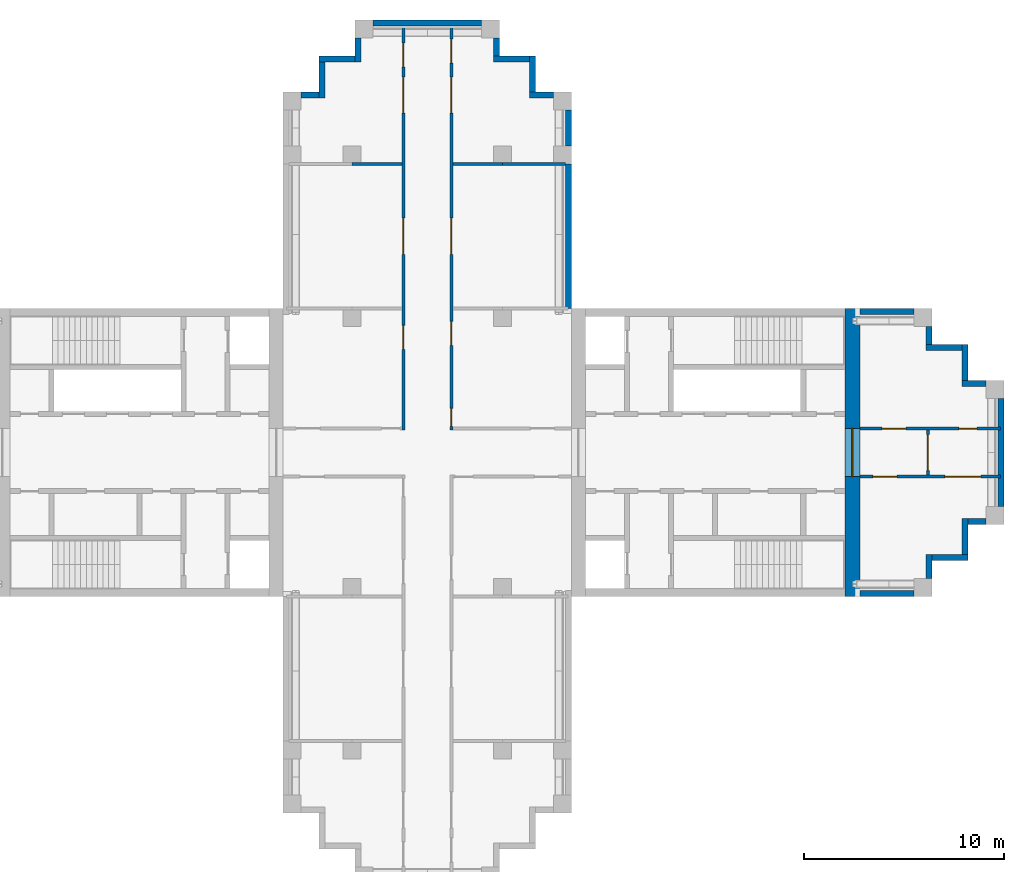
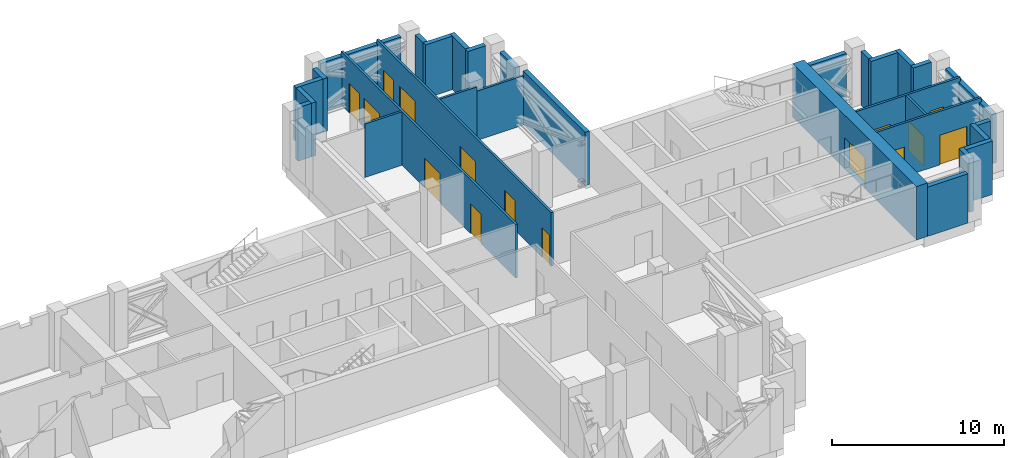
# One storey, part 6 of 8: 31 walls, 15 doors, 15 openings.
"""IFC4 building model written with IfcOpenShell, lengths in metres."""

from ifc_helpers import new_model, si_unit, direction, frame, frame_2d, origin, place, context, subcontext, project, spatial, rectangle, extrude, material, layer, layer_set, type_object, element, fill, save


model = new_model("IFC4")

# Units and contexts
model_context = context("Model", 3, precision=1e-05, world=origin(), true_north=direction((0.0, 1.0)))
body_context = subcontext(model_context, "Body", "Model", "MODEL_VIEW")
ifc_project = project(units=[si_unit("LENGTHUNIT", "METRE"), si_unit("AREAUNIT", "SQUARE_METRE"), si_unit("VOLUMEUNIT", "CUBIC_METRE"), si_unit("PLANEANGLEUNIT", "RADIAN"), si_unit("MASSUNIT", "GRAM", prefix="KILO")], contexts=[model_context])

# Site, building, storey
site_placement = place(None, origin())
site = spatial("IfcSite", under=ifc_project, at=site_placement, CompositionType="ELEMENT")
building_placement = place(site_placement, origin())
building = spatial("IfcBuilding", under=site, at=building_placement, Name="Fustian Cross Tower", CompositionType="ELEMENT")
storey_placement = place(building_placement, frame((0.0, 0.0, 194.699951171875)))
storey = spatial("IfcBuildingStorey", under=building, at=storey_placement, Name="L61", CompositionType="ELEMENT", Elevation=194.699951171875)

# Wall, openings, doors
ifc_material_1 = material(Name="Plasterboard on steel stud", Category="steel")
ifc_layer_1 = layer(ifc_material_1, 0.14990234375)
ifc_layer_set_1 = layer_set([ifc_layer_1], Name="Plasterboard on steel stud")
wall_type_1 = type_object("IfcWallType", Name="COMPARTMENT WALL 150 EI 60", PredefinedType="PARTITIONING", material=ifc_layer_set_1)
wall_1_placement = place(storey_placement, frame((-1.199951171875, 1.125, 0.0), z_axis=(0.0, 0.0, 1.0), x_axis=(0.0, 1.0, 0.0)))
wall_1 = element("IfcWall", 1, at=wall_1_placement, inside=storey, type_object=wall_type_1, Name="Partition 13", PredefinedType="PARTITIONING", context=body_context, shape_type="SweptSolid", body=[
    extrude(rectangle(XDim=20.294921875, YDim=0.14990234375, at=frame_2d((10.1474609375, 0.0))), origin(), (0.0, 0.0, 1.0), 3.800048828125),
])
opening_1_placement = place(wall_1_placement, frame((4.02490234375, 0.0, 0.0)))
opening_1 = element("IfcOpeningElement", 2, at=opening_1_placement, cuts=wall_1, Name="Opening D28006", PredefinedType="OPENING", context=body_context, shape_type="SweptSolid", body=[
    extrude(rectangle(XDim=1.199951171875, YDim=2.10009765625, at=frame_2d((0.60009765625, 1.050048828125))), frame((0.0, 0.0849609375, 0.0), z_axis=(0.0, -1.0, 0.0), x_axis=(1.0, 0.0, 0.0)), (0.0, 0.0, 1.0), 0.169921875),
])
opening_2_placement = place(wall_1_placement, frame((8.77490234375, 0.0, 0.0)))
opening_2 = element("IfcOpeningElement", 3, at=opening_2_placement, cuts=wall_1, Name="Opening D28013", PredefinedType="OPENING", context=body_context, shape_type="SweptSolid", body=[
    extrude(rectangle(XDim=1.800048828125, YDim=2.10009765625, at=frame_2d((0.89990234375, 1.050048828125))), frame((0.0, 0.0849609375, 0.0), z_axis=(0.0, -1.0, 0.0), x_axis=(1.0, 0.0, 0.0)), (0.0, 0.0, 1.0), 0.169921875),
])
opening_3_placement = place(wall_1_placement, frame((15.824951171875, 0.0, 0.0)))
opening_3 = element("IfcOpeningElement", 4, at=opening_3_placement, cuts=wall_1, Name="Opening D28014", PredefinedType="OPENING", context=body_context, shape_type="SweptSolid", body=[
    extrude(rectangle(XDim=1.800048828125, YDim=2.10009765625, at=frame_2d((0.89990234375, 1.050048828125))), frame((0.0, 0.0849609375, 0.0), z_axis=(0.0, -1.0, 0.0), x_axis=(1.0, 0.0, 0.0)), (0.0, 0.0, 1.0), 0.169921875),
])
opening_4_placement = place(wall_1_placement, frame((18.125, 0.0, 0.0)))
opening_4 = element("IfcOpeningElement", 5, at=opening_4_placement, cuts=wall_1, Name="Opening D28015", PredefinedType="OPENING", context=body_context, shape_type="SweptSolid", body=[
    extrude(rectangle(XDim=1.199951171875, YDim=2.10009765625, at=frame_2d((0.60009765625, 1.050048828125))), frame((0.0, 0.0849609375, 0.0), z_axis=(0.0, -1.0, 0.0), x_axis=(1.0, 0.0, 0.0)), (0.0, 0.0, 1.0), 0.169921875),
])
ifc_material_2 = material(Name="Timber fire door set", Category="wood")
door_type_1 = type_object("IfcDoorType", Name="FIRE DOUBLE DOOR 1800 FD60S", OperationType="DOUBLE_DOOR_DOUBLE_SWING", PredefinedType="DOOR", material=ifc_material_2)
door_1_placement = place(opening_2_placement, frame((1.800048828125, 0.0, 0.0), z_axis=(0.0, 0.0, 1.0), x_axis=(-1.0, 0.0, 0.0)))
door_1 = element("IfcDoor", 6, at=door_1_placement, inside=storey, type_object=door_type_1, Name="Door D28013", OperationType="DOUBLE_DOOR_DOUBLE_SWING", OverallHeight=2.10009765625, OverallWidth=1.800048828125, PredefinedType="DOOR", context=body_context, shape_type="SweptSolid", body=[
    extrude(rectangle(XDim=1.800048828125, YDim=2.10009765625, at=frame_2d((0.89990234375, 1.050048828125))), frame((0.0, 0.02490234375, 0.0), z_axis=(0.0, -1.0, 0.0), x_axis=(1.0, 0.0, 0.0)), (0.0, 0.0, 1.0), 0.050048828125),
])
fill(opening_2, door_1)
door_2_placement = place(opening_3_placement, frame((1.800048828125, 0.0, 0.0), z_axis=(0.0, 0.0, 1.0), x_axis=(-1.0, 0.0, 0.0)))
door_2 = element("IfcDoor", 7, at=door_2_placement, inside=storey, type_object=door_type_1, Name="Door D28014", OperationType="DOUBLE_DOOR_DOUBLE_SWING", OverallHeight=2.10009765625, OverallWidth=1.800048828125, PredefinedType="DOOR", context=body_context, shape_type="SweptSolid", body=[
    extrude(rectangle(XDim=1.800048828125, YDim=2.10009765625, at=frame_2d((0.89990234375, 1.050048828125))), frame((0.0, 0.02490234375, 0.0), z_axis=(0.0, -1.0, 0.0), x_axis=(1.0, 0.0, 0.0)), (0.0, 0.0, 1.0), 0.050048828125),
])
fill(opening_3, door_2)
ifc_material_3 = material(Name="Timber fire door set", Category="wood")
door_type_2 = type_object("IfcDoorType", Name="FIRE SWING DOOR 1200 FD60S", OperationType="SINGLE_SWING_LEFT", PredefinedType="DOOR", material=ifc_material_3)
door_3_placement = place(opening_1_placement, origin())
door_3 = element("IfcDoor", 8, at=door_3_placement, inside=storey, type_object=door_type_2, Name="Door D28006", OperationType="SINGLE_SWING_RIGHT", OverallHeight=2.10009765625, OverallWidth=1.199951171875, PredefinedType="DOOR", context=body_context, shape_type="SweptSolid", body=[
    extrude(rectangle(XDim=1.199951171875, YDim=2.10009765625, at=frame_2d((0.60009765625, 1.050048828125))), frame((0.0, 0.02490234375, 0.0), z_axis=(0.0, -1.0, 0.0), x_axis=(1.0, 0.0, 0.0)), (0.0, 0.0, 1.0), 0.050048828125),
])
fill(opening_1, door_3)
door_4_placement = place(opening_4_placement, frame((1.199951171875, 0.0, 0.0), z_axis=(0.0, 0.0, 1.0), x_axis=(-1.0, 0.0, 0.0)))
door_4 = element("IfcDoor", 9, at=door_4_placement, inside=storey, type_object=door_type_2, Name="Door D28015", OperationType="SINGLE_SWING_LEFT", OverallHeight=2.10009765625, OverallWidth=1.199951171875, PredefinedType="DOOR", context=body_context, shape_type="SweptSolid", body=[
    extrude(rectangle(XDim=1.199951171875, YDim=2.10009765625, at=frame_2d((0.60009765625, 1.050048828125))), frame((0.0, 0.02490234375, 0.0), z_axis=(0.0, -1.0, 0.0), x_axis=(1.0, 0.0, 0.0)), (0.0, 0.0, 1.0), 0.050048828125),
])
fill(opening_4, door_4)

wall_2_placement = place(storey_placement, frame((1.199951171875, 1.125, 0.0), z_axis=(0.0, 0.0, 1.0), x_axis=(0.0, 1.0, 0.0)))
wall_2 = element("IfcWall", 10, at=wall_2_placement, inside=storey, type_object=wall_type_1, Name="Partition 18", PredefinedType="PARTITIONING", context=body_context, shape_type="SweptSolid", body=[
    extrude(rectangle(XDim=20.294921875, YDim=0.14990234375, at=frame_2d((10.1474609375, 0.0))), origin(), (0.0, 0.0, 1.0), 3.800048828125),
])
opening_5_placement = place(wall_2_placement, frame((0.175048828125, 0.0, 0.0)))
opening_5 = element("IfcOpeningElement", 11, at=opening_5_placement, cuts=wall_2, Name="Opening D28001", PredefinedType="OPENING", context=body_context, shape_type="SweptSolid", body=[
    extrude(rectangle(XDim=0.89990234375, YDim=2.10009765625, at=frame_2d((0.449951171875, 1.050048828125))), frame((0.0, 0.0849609375, 0.0), z_axis=(0.0, -1.0, 0.0), x_axis=(1.0, 0.0, 0.0)), (0.0, 0.0, 1.0), 0.169921875),
])
opening_6_placement = place(wall_2_placement, frame((4.22509765625, 0.0, 0.0)))
opening_6 = element("IfcOpeningElement", 12, at=opening_6_placement, cuts=wall_2, Name="Opening D28002", PredefinedType="OPENING", context=body_context, shape_type="SweptSolid", body=[
    extrude(rectangle(XDim=1.199951171875, YDim=2.10009765625, at=frame_2d((0.60009765625, 1.050048828125))), frame((0.0, 0.0849609375, 0.0), z_axis=(0.0, -1.0, 0.0), x_axis=(1.0, 0.0, 0.0)), (0.0, 0.0, 1.0), 0.169921875),
])
opening_7_placement = place(wall_2_placement, frame((8.77490234375, 0.0, 0.0)))
opening_7 = element("IfcOpeningElement", 13, at=opening_7_placement, cuts=wall_2, Name="Opening D28016", PredefinedType="OPENING", context=body_context, shape_type="SweptSolid", body=[
    extrude(rectangle(XDim=1.800048828125, YDim=2.10009765625, at=frame_2d((0.89990234375, 1.050048828125))), frame((0.0, 0.0849609375, 0.0), z_axis=(0.0, -1.0, 0.0), x_axis=(1.0, 0.0, 0.0)), (0.0, 0.0, 1.0), 0.169921875),
])
opening_8_placement = place(wall_2_placement, frame((15.824951171875, 0.0, 0.0)))
opening_8 = element("IfcOpeningElement", 14, at=opening_8_placement, cuts=wall_2, Name="Opening D28017", PredefinedType="OPENING", context=body_context, shape_type="SweptSolid", body=[
    extrude(rectangle(XDim=1.800048828125, YDim=2.10009765625, at=frame_2d((0.89990234375, 1.050048828125))), frame((0.0, 0.0849609375, 0.0), z_axis=(0.0, -1.0, 0.0), x_axis=(1.0, 0.0, 0.0)), (0.0, 0.0, 1.0), 0.169921875),
])
opening_9_placement = place(wall_2_placement, frame((18.324951171875, 0.0, 0.0)))
opening_9 = element("IfcOpeningElement", 15, at=opening_9_placement, cuts=wall_2, Name="Opening D28018", PredefinedType="OPENING", context=body_context, shape_type="SweptSolid", body=[
    extrude(rectangle(XDim=1.199951171875, YDim=2.10009765625, at=frame_2d((0.60009765625, 1.050048828125))), frame((0.0, 0.0849609375, 0.0), z_axis=(0.0, -1.0, 0.0), x_axis=(1.0, 0.0, 0.0)), (0.0, 0.0, 1.0), 0.169921875),
])
door_5_placement = place(opening_7_placement, origin())
door_5 = element("IfcDoor", 16, at=door_5_placement, inside=storey, type_object=door_type_1, Name="Door D28016", OperationType="DOUBLE_DOOR_DOUBLE_SWING", OverallHeight=2.10009765625, OverallWidth=1.800048828125, PredefinedType="DOOR", context=body_context, shape_type="SweptSolid", body=[
    extrude(rectangle(XDim=1.800048828125, YDim=2.10009765625, at=frame_2d((0.89990234375, 1.050048828125))), frame((0.0, 0.02490234375, 0.0), z_axis=(0.0, -1.0, 0.0), x_axis=(1.0, 0.0, 0.0)), (0.0, 0.0, 1.0), 0.050048828125),
])
fill(opening_7, door_5)
door_6_placement = place(opening_8_placement, origin())
door_6 = element("IfcDoor", 17, at=door_6_placement, inside=storey, type_object=door_type_1, Name="Door D28017", OperationType="DOUBLE_DOOR_DOUBLE_SWING", OverallHeight=2.10009765625, OverallWidth=1.800048828125, PredefinedType="DOOR", context=body_context, shape_type="SweptSolid", body=[
    extrude(rectangle(XDim=1.800048828125, YDim=2.10009765625, at=frame_2d((0.89990234375, 1.050048828125))), frame((0.0, 0.02490234375, 0.0), z_axis=(0.0, -1.0, 0.0), x_axis=(1.0, 0.0, 0.0)), (0.0, 0.0, 1.0), 0.050048828125),
])
fill(opening_8, door_6)
door_7_placement = place(opening_6_placement, origin())
door_7 = element("IfcDoor", 18, at=door_7_placement, inside=storey, type_object=door_type_2, Name="Door D28002", OperationType="SINGLE_SWING_RIGHT", OverallHeight=2.10009765625, OverallWidth=1.199951171875, PredefinedType="DOOR", context=body_context, shape_type="SweptSolid", body=[
    extrude(rectangle(XDim=1.199951171875, YDim=2.10009765625, at=frame_2d((0.60009765625, 1.050048828125))), frame((0.0, 0.02490234375, 0.0), z_axis=(0.0, -1.0, 0.0), x_axis=(1.0, 0.0, 0.0)), (0.0, 0.0, 1.0), 0.050048828125),
])
fill(opening_6, door_7)
door_8_placement = place(opening_9_placement, frame((1.199951171875, 0.0, 0.0), z_axis=(0.0, 0.0, 1.0), x_axis=(-1.0, 0.0, 0.0)))
door_8 = element("IfcDoor", 19, at=door_8_placement, inside=storey, type_object=door_type_2, Name="Door D28018", OperationType="SINGLE_SWING_LEFT", OverallHeight=2.10009765625, OverallWidth=1.199951171875, PredefinedType="DOOR", context=body_context, shape_type="SweptSolid", body=[
    extrude(rectangle(XDim=1.199951171875, YDim=2.10009765625, at=frame_2d((0.60009765625, 1.050048828125))), frame((0.0, 0.02490234375, 0.0), z_axis=(0.0, -1.0, 0.0), x_axis=(1.0, 0.0, 0.0)), (0.0, 0.0, 1.0), 0.050048828125),
])
fill(opening_9, door_8)
ifc_material_4 = material(Name="Timber fire door set", Category="wood")
door_type_3 = type_object("IfcDoorType", Name="FIRE SWING DOOR 900 FD30S", OperationType="SINGLE_SWING_LEFT", PredefinedType="DOOR", material=ifc_material_4)
door_9_placement = place(opening_5_placement, origin())
door_9 = element("IfcDoor", 20, at=door_9_placement, inside=storey, type_object=door_type_3, Name="Door D28001", OperationType="SINGLE_SWING_RIGHT", OverallHeight=2.10009765625, OverallWidth=0.89990234375, PredefinedType="DOOR", context=body_context, shape_type="SweptSolid", body=[
    extrude(rectangle(XDim=0.89990234375, YDim=2.10009765625, at=frame_2d((0.449951171875, 1.050048828125))), frame((0.0, 0.02490234375, 0.0), z_axis=(0.0, -1.0, 0.0), x_axis=(1.0, 0.0, 0.0)), (0.0, 0.0, 1.0), 0.050048828125),
])
fill(opening_5, door_9)

# Wall
wall_3_placement = place(storey_placement, frame((1.27490234375, 14.39990234375, 0.0), z_axis=(0.0, 0.0, 1.0), x_axis=(1.0, 0.0, 0.0)))
element("IfcWall", 21, at=wall_3_placement, inside=storey, type_object=wall_type_1, Name="Partition 21", PredefinedType="PARTITIONING", context=body_context, shape_type="SweptSolid", body=[
    extrude(rectangle(XDim=2.47509765625, YDim=0.14990234375, at=frame_2d((1.237548828125, 0.0))), origin(), (0.0, 0.0, 1.0), 3.800048828125),
])

# Wall, openings, doors
wall_4_placement = place(storey_placement, frame((21.60009765625, -1.199951171875, 0.0), z_axis=(0.0, 0.0, 1.0), x_axis=(1.0, 0.0, 0.0)))
wall_4 = element("IfcWall", 22, at=wall_4_placement, inside=storey, type_object=wall_type_1, Name="Partition 22", PredefinedType="PARTITIONING", context=body_context, shape_type="SweptSolid", body=[
    extrude(rectangle(XDim=7.02001953125, YDim=0.14990234375, at=frame_2d((3.510009765625, 0.0))), origin(), (0.0, 0.0, 1.0), 3.800048828125),
])
opening_10_placement = place(wall_4_placement, frame((0.64990234375, 0.0, 0.0)))
opening_10 = element("IfcOpeningElement", 23, at=opening_10_placement, cuts=wall_4, Name="Opening D28028", PredefinedType="OPENING", context=body_context, shape_type="SweptSolid", body=[
    extrude(rectangle(XDim=1.199951171875, YDim=2.10009765625, at=frame_2d((0.60009765625, 1.050048828125))), frame((0.0, 0.0849609375, 0.0), z_axis=(0.0, -1.0, 0.0), x_axis=(1.0, 0.0, 0.0)), (0.0, 0.0, 1.0), 0.169921875),
])
opening_11_placement = place(wall_4_placement, frame((4.25, 0.0, 0.0)))
opening_11 = element("IfcOpeningElement", 24, at=opening_11_placement, cuts=wall_4, Name="Opening D28029", PredefinedType="OPENING", context=body_context, shape_type="SweptSolid", body=[
    extrude(rectangle(XDim=1.800048828125, YDim=2.10009765625, at=frame_2d((0.89990234375, 1.050048828125))), frame((0.0, 0.0849609375, 0.0), z_axis=(0.0, -1.0, 0.0), x_axis=(1.0, 0.0, 0.0)), (0.0, 0.0, 1.0), 0.169921875),
])
door_10_placement = place(opening_11_placement, origin())
door_10 = element("IfcDoor", 25, at=door_10_placement, inside=storey, type_object=door_type_1, Name="Door D28029", OperationType="DOUBLE_DOOR_DOUBLE_SWING", OverallHeight=2.10009765625, OverallWidth=1.800048828125, PredefinedType="DOOR", context=body_context, shape_type="SweptSolid", body=[
    extrude(rectangle(XDim=1.800048828125, YDim=2.10009765625, at=frame_2d((0.89990234375, 1.050048828125))), frame((0.0, 0.02490234375, 0.0), z_axis=(0.0, -1.0, 0.0), x_axis=(1.0, 0.0, 0.0)), (0.0, 0.0, 1.0), 0.050048828125),
])
fill(opening_11, door_10)
door_11_placement = place(opening_10_placement, origin())
door_11 = element("IfcDoor", 26, at=door_11_placement, inside=storey, type_object=door_type_2, Name="Door D28028", OperationType="SINGLE_SWING_LEFT", OverallHeight=2.10009765625, OverallWidth=1.199951171875, PredefinedType="DOOR", context=body_context, shape_type="SweptSolid", body=[
    extrude(rectangle(XDim=1.199951171875, YDim=2.10009765625, at=frame_2d((0.60009765625, 1.050048828125))), frame((0.0, 0.02490234375, 0.0), z_axis=(0.0, -1.0, 0.0), x_axis=(1.0, 0.0, 0.0)), (0.0, 0.0, 1.0), 0.050048828125),
])
fill(opening_10, door_11)

wall_5_placement = place(storey_placement, frame((21.60009765625, 1.199951171875, 0.0), z_axis=(0.0, 0.0, 1.0), x_axis=(1.0, 0.0, 0.0)))
wall_5 = element("IfcWall", 27, at=wall_5_placement, inside=storey, type_object=wall_type_1, Name="Partition 23", PredefinedType="PARTITIONING", context=body_context, shape_type="SweptSolid", body=[
    extrude(rectangle(XDim=7.02001953125, YDim=0.14990234375, at=frame_2d((3.510009765625, 0.0))), origin(), (0.0, 0.0, 1.0), 3.800048828125),
])
opening_12_placement = place(wall_5_placement, frame((1.10009765625, 0.0, 0.0)))
opening_12 = element("IfcOpeningElement", 28, at=opening_12_placement, cuts=wall_5, Name="Opening D28026", PredefinedType="OPENING", context=body_context, shape_type="SweptSolid", body=[
    extrude(rectangle(XDim=1.199951171875, YDim=2.10009765625, at=frame_2d((0.60009765625, 1.050048828125))), frame((0.0, 0.0849609375, 0.0), z_axis=(0.0, -1.0, 0.0), x_axis=(1.0, 0.0, 0.0)), (0.0, 0.0, 1.0), 0.169921875),
])
opening_13_placement = place(wall_5_placement, frame((4.949951171875, 0.0, 0.0)))
opening_13 = element("IfcOpeningElement", 29, at=opening_13_placement, cuts=wall_5, Name="Opening D28027", PredefinedType="OPENING", context=body_context, shape_type="SweptSolid", body=[
    extrude(rectangle(XDim=0.89990234375, YDim=2.10009765625, at=frame_2d((0.449951171875, 1.050048828125))), frame((0.0, 0.0849609375, 0.0), z_axis=(0.0, -1.0, 0.0), x_axis=(1.0, 0.0, 0.0)), (0.0, 0.0, 1.0), 0.169921875),
])
door_12_placement = place(opening_12_placement, origin())
door_12 = element("IfcDoor", 30, at=door_12_placement, inside=storey, type_object=door_type_2, Name="Door D28026", OperationType="SINGLE_SWING_LEFT", OverallHeight=2.10009765625, OverallWidth=1.199951171875, PredefinedType="DOOR", context=body_context, shape_type="SweptSolid", body=[
    extrude(rectangle(XDim=1.199951171875, YDim=2.10009765625, at=frame_2d((0.60009765625, 1.050048828125))), frame((0.0, 0.02490234375, 0.0), z_axis=(0.0, -1.0, 0.0), x_axis=(1.0, 0.0, 0.0)), (0.0, 0.0, 1.0), 0.050048828125),
])
fill(opening_12, door_12)
door_13_placement = place(opening_13_placement, origin())
door_13 = element("IfcDoor", 31, at=door_13_placement, inside=storey, type_object=door_type_3, Name="Door D28027", OperationType="SINGLE_SWING_RIGHT", OverallHeight=2.10009765625, OverallWidth=0.89990234375, PredefinedType="DOOR", context=body_context, shape_type="SweptSolid", body=[
    extrude(rectangle(XDim=0.89990234375, YDim=2.10009765625, at=frame_2d((0.449951171875, 1.050048828125))), frame((0.0, 0.02490234375, 0.0), z_axis=(0.0, -1.0, 0.0), x_axis=(1.0, 0.0, 0.0)), (0.0, 0.0, 1.0), 0.050048828125),
])
fill(opening_13, door_13)

# Wall, opening, door
wall_6_placement = place(storey_placement, frame((25.0, -1.125, 0.0), z_axis=(0.0, 0.0, 1.0), x_axis=(0.0, 1.0, 0.0)))
wall_6 = element("IfcWall", 32, at=wall_6_placement, inside=storey, type_object=wall_type_1, Name="Partition 24", PredefinedType="PARTITIONING", context=body_context, shape_type="SweptSolid", body=[
    extrude(rectangle(XDim=2.25, YDim=0.14990234375, at=frame_2d((1.125, 0.0))), origin(), (0.0, 0.0, 1.0), 3.800048828125),
])
opening_14_placement = place(wall_6_placement, frame((0.22509765625, 0.0, 0.0)))
opening_14 = element("IfcOpeningElement", 33, at=opening_14_placement, cuts=wall_6, Name="Opening D28025", PredefinedType="OPENING", context=body_context, shape_type="SweptSolid", body=[
    extrude(rectangle(XDim=1.800048828125, YDim=2.10009765625, at=frame_2d((0.89990234375, 1.050048828125))), frame((0.0, 0.0849609375, 0.0), z_axis=(0.0, -1.0, 0.0), x_axis=(1.0, 0.0, 0.0)), (0.0, 0.0, 1.0), 0.169921875),
])
ifc_material_5 = material(Name="Timber fire door set", Category="wood")
door_type_4 = type_object("IfcDoorType", Name="FIRE DOUBLE DOOR 1800 FD30S", OperationType="DOUBLE_DOOR_DOUBLE_SWING", PredefinedType="DOOR", material=ifc_material_5)
door_14_placement = place(opening_14_placement, origin())
door_14 = element("IfcDoor", 34, at=door_14_placement, inside=storey, type_object=door_type_4, Name="Door D28025", OperationType="DOUBLE_DOOR_DOUBLE_SWING", OverallHeight=2.10009765625, OverallWidth=1.800048828125, PredefinedType="DOOR", context=body_context, shape_type="SweptSolid", body=[
    extrude(rectangle(XDim=1.800048828125, YDim=2.10009765625, at=frame_2d((0.89990234375, 1.050048828125))), frame((0.0, 0.02490234375, 0.0), z_axis=(0.0, -1.0, 0.0), x_axis=(1.0, 0.0, 0.0)), (0.0, 0.0, 1.0), 0.050048828125),
])
fill(opening_14, door_14)

# Walls
wall_7_placement = place(storey_placement, frame((-3.75, 14.39990234375, 0.0), z_axis=(0.0, 0.0, 1.0), x_axis=(1.0, 0.0, 0.0)))
element("IfcWall", 35, at=wall_7_placement, inside=storey, type_object=wall_type_1, Name="Partition 11", PredefinedType="PARTITIONING", context=body_context, shape_type="SweptSolid", body=[
    extrude(rectangle(XDim=2.47509765625, YDim=0.14990234375, at=frame_2d((1.237548828125, 0.0))), origin(), (0.0, 0.0, 1.0), 3.800048828125),
])
wall_8_placement = place(storey_placement, frame((3.75, 14.39990234375, 0.0), z_axis=(0.0, 0.0, 1.0), x_axis=(1.0, 0.0, 0.0)))
element("IfcWall", 36, at=wall_8_placement, inside=storey, type_object=wall_type_1, Name="Partition 21", PredefinedType="PARTITIONING", context=body_context, shape_type="SweptSolid", body=[
    extrude(rectangle(XDim=3.14990234375, YDim=0.14990234375, at=frame_2d((1.574951171875, 0.0))), origin(), (0.0, 0.0, 1.0), 3.5),
])

# Wall, opening, door
ifc_material_6 = material(Name="Concrete C50/60", Category="concrete")
ifc_layer_2 = layer(ifc_material_6, 0.75)
ifc_layer_set_2 = layer_set([ifc_layer_2], Name="Concrete C50/60")
wall_type_2 = type_object("IfcWallType", Name="CORE END WALL 750 C50/60", PredefinedType="SHEAR", material=ifc_layer_set_2)
wall_9_placement = place(storey_placement, frame((21.22509765625, -7.199951171875, 0.0), z_axis=(0.0, 0.0, 1.0), x_axis=(0.0, 1.0, 0.0)))
wall_9 = element("IfcWall", 37, at=wall_9_placement, inside=storey, type_object=wall_type_2, Name="Core end wall", PredefinedType="SHEAR", context=body_context, shape_type="SweptSolid", body=[
    extrude(rectangle(XDim=14.39990234375, YDim=0.75, at=frame_2d((7.199951171875, 0.0))), origin(), (0.0, 0.0, 1.0), 3.800048828125),
])
opening_15_placement = place(wall_9_placement, frame((6.0, 0.0, 0.0)))
opening_15 = element("IfcOpeningElement", 38, at=opening_15_placement, cuts=wall_9, Name="Opening CD-26-13", PredefinedType="OPENING", context=body_context, shape_type="SweptSolid", body=[
    extrude(rectangle(XDim=2.39990234375, YDim=2.199951171875, at=frame_2d((1.199951171875, 1.10009765625))), frame((0.0, 0.385009765625, 0.0), z_axis=(0.0, -1.0, 0.0), x_axis=(1.0, 0.0, 0.0)), (0.0, 0.0, 1.0), 0.77001953125),
])
ifc_material_7 = material(Name="Steel", Category="steel")
door_type_5 = type_object("IfcDoorType", Name="FIRE DOOR FD30S DOUBLE 2400X2200", OperationType="DOUBLE_DOOR_DOUBLE_SWING", PredefinedType="DOOR", material=ifc_material_7)
door_15_placement = place(opening_15_placement, origin())
door_15 = element("IfcDoor", 39, at=door_15_placement, inside=storey, type_object=door_type_5, Name="Core door CD-26-13", OperationType="DOUBLE_DOOR_DOUBLE_SWING", OverallHeight=2.199951171875, OverallWidth=2.39990234375, PredefinedType="DOOR", context=body_context, shape_type="SweptSolid", body=[
    extrude(rectangle(XDim=2.39990234375, YDim=2.199951171875, at=frame_2d((1.199951171875, 1.10009765625))), frame((0.0, 0.02490234375, 0.0), z_axis=(0.0, -1.0, 0.0), x_axis=(1.0, 0.0, 0.0)), (0.0, 0.0, 1.0), 0.050048828125),
])
fill(opening_15, door_15)

# Walls
ifc_material_8 = material(Name="Dark aluminium louvres on insulated backing wall", Category="aluminium")
ifc_layer_3 = layer(ifc_material_8, 0.300048828125)
ifc_layer_set_3 = layer_set([ifc_layer_3], Name="Dark aluminium louvres on insulated backing wall")
wall_type_3 = type_object("IfcWallType", Name="XW2 LOUVRED PLANT WALL 300", PredefinedType="SOLIDWALL", material=ifc_layer_set_3)
wall_10_placement = place(storey_placement, frame((21.60009765625, -7.050048828125, 0.0), z_axis=(0.0, 0.0, 1.0), x_axis=(1.0, 0.0, 0.0)))
element("IfcWall", 40, at=wall_10_placement, inside=storey, type_object=wall_type_3, Name="Plant louvre wall", PredefinedType="SOLIDWALL", context=body_context, shape_type="SweptSolid", body=[
    extrude(rectangle(XDim=2.699951171875, YDim=0.300048828125, at=frame_2d((1.35009765625, 0.0))), origin(), (0.0, 0.0, 1.0), 3.5),
])
wall_11_placement = place(storey_placement, frame((25.050048828125, -6.300048828125, 0.0), z_axis=(0.0, 0.0, 1.0), x_axis=(0.0, 1.0, 0.0)))
element("IfcWall", 41, at=wall_11_placement, inside=storey, type_object=wall_type_3, Name="Plant louvre wall", PredefinedType="SOLIDWALL", context=body_context, shape_type="SweptSolid", body=[
    extrude(rectangle(XDim=1.199951171875, YDim=0.300048828125, at=frame_2d((0.60009765625, 0.0))), origin(), (0.0, 0.0, 1.0), 3.800048828125),
])
for number, where, z_axis, x_axis, name in (
    (42, (25.199951171875, -5.25, 0.0), (0.0, 0.0, 1.0), (1.0, 0.0, 0.0), "Plant louvre wall"),
    (43, (26.85009765625, -5.10009765625, 0.0), (0.0, 0.0, 1.0), (0.0, 1.0, 0.0), "Plant louvre wall"),
):
    element("IfcWall", number, at=place(storey_placement, frame(where, z_axis=z_axis, x_axis=x_axis)), inside=storey, type_object=wall_type_3, Name=name, PredefinedType="SOLIDWALL", context=body_context, shape_type="SweptSolid", body=[
        extrude(rectangle(XDim=1.800048828125, YDim=0.300048828125, at=frame_2d((0.89990234375, 0.0))), origin(), (0.0, 0.0, 1.0), 3.800048828125),
    ])
wall_12_placement = place(storey_placement, frame((27.0, -3.449951171875, 0.0), z_axis=(0.0, 0.0, 1.0), x_axis=(1.0, 0.0, 0.0)))
element("IfcWall", 44, at=wall_12_placement, inside=storey, type_object=wall_type_3, Name="Plant louvre wall", PredefinedType="SOLIDWALL", context=body_context, shape_type="SweptSolid", body=[
    extrude(rectangle(XDim=0.89990234375, YDim=0.300048828125, at=frame_2d((0.449951171875, 0.0))), origin(), (0.0, 0.0, 1.0), 3.800048828125),
])
wall_13_placement = place(storey_placement, frame((28.64990234375, -2.699951171875, 0.0), z_axis=(0.0, 0.0, 1.0), x_axis=(0.0, 1.0, 0.0)))
element("IfcWall", 45, at=wall_13_placement, inside=storey, type_object=wall_type_3, Name="Plant louvre wall", PredefinedType="SOLIDWALL", context=body_context, shape_type="SweptSolid", body=[
    extrude(rectangle(XDim=5.39990234375, YDim=0.300048828125, at=frame_2d((2.699951171875, 0.0))), origin(), (0.0, 0.0, 1.0), 3.5),
])
wall_14_placement = place(storey_placement, frame((27.89990234375, 3.449951171875, 0.0), z_axis=(0.0, 0.0, 1.0), x_axis=(-1.0, 0.0, 0.0)))
element("IfcWall", 46, at=wall_14_placement, inside=storey, type_object=wall_type_3, Name="Plant louvre wall", PredefinedType="SOLIDWALL", context=body_context, shape_type="SweptSolid", body=[
    extrude(rectangle(XDim=1.199951171875, YDim=0.300048828125, at=frame_2d((0.60009765625, 0.0))), origin(), (0.0, 0.0, 1.0), 3.800048828125),
])
wall_15_placement = place(storey_placement, frame((26.85009765625, 3.60009765625, 0.0), z_axis=(0.0, 0.0, 1.0), x_axis=(0.0, 1.0, 0.0)))
element("IfcWall", 47, at=wall_15_placement, inside=storey, type_object=wall_type_3, Name="Plant louvre wall", PredefinedType="SOLIDWALL", context=body_context, shape_type="SweptSolid", body=[
    extrude(rectangle(XDim=1.7998046875, YDim=0.300048828125, at=frame_2d((0.89990234375, 0.0))), origin(), (0.0, 0.0, 1.0), 3.800048828125),
])
wall_16_placement = place(storey_placement, frame((26.699951171875, 5.25, 0.0), z_axis=(0.0, 0.0, 1.0), x_axis=(-1.0, 0.0, 0.0)))
element("IfcWall", 48, at=wall_16_placement, inside=storey, type_object=wall_type_3, Name="Plant louvre wall", PredefinedType="SOLIDWALL", context=body_context, shape_type="SweptSolid", body=[
    extrude(rectangle(XDim=1.800048828125, YDim=0.300048828125, at=frame_2d((0.89990234375, 0.0))), origin(), (0.0, 0.0, 1.0), 3.800048828125),
])
wall_17_placement = place(storey_placement, frame((25.050048828125, 5.39990234375, 0.0), z_axis=(0.0, 0.0, 1.0), x_axis=(0.0, 1.0, 0.0)))
element("IfcWall", 49, at=wall_17_placement, inside=storey, type_object=wall_type_3, Name="Plant louvre wall", PredefinedType="SOLIDWALL", context=body_context, shape_type="SweptSolid", body=[
    extrude(rectangle(XDim=0.900146484375, YDim=0.300048828125, at=frame_2d((0.4501953125, 0.0))), origin(), (0.0, 0.0, 1.0), 3.800048828125),
])
wall_18_placement = place(storey_placement, frame((24.300048828125, 7.050048828125, 0.0), z_axis=(0.0, 0.0, 1.0), x_axis=(-1.0, 0.0, 0.0)))
element("IfcWall", 50, at=wall_18_placement, inside=storey, type_object=wall_type_3, Name="Plant louvre wall", PredefinedType="SOLIDWALL", context=body_context, shape_type="SweptSolid", body=[
    extrude(rectangle(XDim=2.699951171875, YDim=0.300048828125, at=frame_2d((1.35009765625, 0.0))), origin(), (0.0, 0.0, 1.0), 3.5),
])
wall_19_placement = place(storey_placement, frame((7.050048828125, 7.199951171875, 0.0), z_axis=(0.0, 0.0, 1.0), x_axis=(0.0, 1.0, 0.0)))
element("IfcWall", 51, at=wall_19_placement, inside=storey, type_object=wall_type_3, Name="Plant louvre wall", PredefinedType="SOLIDWALL", context=body_context, shape_type="SweptSolid", body=[
    extrude(rectangle(XDim=7.199951171875, YDim=0.300048828125, at=frame_2d((3.60009765625, 0.0))), origin(), (0.0, 0.0, 1.0), 3.800048828125),
])
wall_20_placement = place(storey_placement, frame((7.050048828125, 15.300048828125, 0.0), z_axis=(0.0, 0.0, 1.0), x_axis=(0.0, 1.0, 0.0)))
element("IfcWall", 52, at=wall_20_placement, inside=storey, type_object=wall_type_3, Name="Plant louvre wall", PredefinedType="SOLIDWALL", context=body_context, shape_type="SweptSolid", body=[
    extrude(rectangle(XDim=1.800048828125, YDim=0.300048828125, at=frame_2d((0.89990234375, 0.0))), origin(), (0.0, 0.0, 1.0), 3.5),
])
wall_21_placement = place(storey_placement, frame((6.300048828125, 17.85009765625, 0.0), z_axis=(0.0, 0.0, 1.0), x_axis=(-1.0, 0.0, 0.0)))
element("IfcWall", 53, at=wall_21_placement, inside=storey, type_object=wall_type_3, Name="Plant louvre wall", PredefinedType="SOLIDWALL", context=body_context, shape_type="SweptSolid", body=[
    extrude(rectangle(XDim=1.199951171875, YDim=0.300048828125, at=frame_2d((0.60009765625, 0.0))), origin(), (0.0, 0.0, 1.0), 3.800048828125),
])
for number, where, z_axis, x_axis, name in (
    (54, (5.25, 18.0, 0.0), (0.0, 0.0, 1.0), (0.0, 1.0, 0.0), "Plant louvre wall"),
    (55, (5.10009765625, 19.64990234375, 0.0), (0.0, 0.0, 1.0), (-1.0, 0.0, 0.0), "Plant louvre wall"),
):
    element("IfcWall", number, at=place(storey_placement, frame(where, z_axis=z_axis, x_axis=x_axis)), inside=storey, type_object=wall_type_3, Name=name, PredefinedType="SOLIDWALL", context=body_context, shape_type="SweptSolid", body=[
        extrude(rectangle(XDim=1.800048828125, YDim=0.300048828125, at=frame_2d((0.89990234375, 0.0))), origin(), (0.0, 0.0, 1.0), 3.800048828125),
    ])
wall_22_placement = place(storey_placement, frame((3.449951171875, 19.800048828125, 0.0), z_axis=(0.0, 0.0, 1.0), x_axis=(0.0, 1.0, 0.0)))
element("IfcWall", 56, at=wall_22_placement, inside=storey, type_object=wall_type_3, Name="Plant louvre wall", PredefinedType="SOLIDWALL", context=body_context, shape_type="SweptSolid", body=[
    extrude(rectangle(XDim=0.89990234375, YDim=0.300048828125, at=frame_2d((0.449951171875, 0.0))), origin(), (0.0, 0.0, 1.0), 3.800048828125),
])
wall_23_placement = place(storey_placement, frame((2.699951171875, 21.449951171875, 0.0), z_axis=(0.0, 0.0, 1.0), x_axis=(-1.0, 0.0, 0.0)))
element("IfcWall", 57, at=wall_23_placement, inside=storey, type_object=wall_type_3, Name="Plant louvre wall", PredefinedType="SOLIDWALL", context=body_context, shape_type="SweptSolid", body=[
    extrude(rectangle(XDim=5.39990234375, YDim=0.300048828125, at=frame_2d((2.699951171875, 0.0))), origin(), (0.0, 0.0, 1.0), 3.5),
])
wall_24_placement = place(storey_placement, frame((-3.449951171875, 20.699951171875, 0.0), z_axis=(0.0, 0.0, 1.0), x_axis=(0.0, -1.0, 0.0)))
element("IfcWall", 58, at=wall_24_placement, inside=storey, type_object=wall_type_3, Name="Plant louvre wall", PredefinedType="SOLIDWALL", context=body_context, shape_type="SweptSolid", body=[
    extrude(rectangle(XDim=1.199951171875, YDim=0.300048828125, at=frame_2d((0.60009765625, 0.0))), origin(), (0.0, 0.0, 1.0), 3.800048828125),
])
wall_25_placement = place(storey_placement, frame((-3.60009765625, 19.64990234375, 0.0), z_axis=(0.0, 0.0, 1.0), x_axis=(-1.0, 0.0, 0.0)))
element("IfcWall", 59, at=wall_25_placement, inside=storey, type_object=wall_type_3, Name="Plant louvre wall", PredefinedType="SOLIDWALL", context=body_context, shape_type="SweptSolid", body=[
    extrude(rectangle(XDim=1.7998046875, YDim=0.300048828125, at=frame_2d((0.89990234375, 0.0))), origin(), (0.0, 0.0, 1.0), 3.800048828125),
])
wall_26_placement = place(storey_placement, frame((-5.25, 19.5, 0.0), z_axis=(0.0, 0.0, 1.0), x_axis=(0.0, -1.0, 0.0)))
element("IfcWall", 60, at=wall_26_placement, inside=storey, type_object=wall_type_3, Name="Plant louvre wall", PredefinedType="SOLIDWALL", context=body_context, shape_type="SweptSolid", body=[
    extrude(rectangle(XDim=1.800048828125, YDim=0.300048828125, at=frame_2d((0.89990234375, 0.0))), origin(), (0.0, 0.0, 1.0), 3.800048828125),
])
wall_27_placement = place(storey_placement, frame((-5.39990234375, 17.85009765625, 0.0), z_axis=(0.0, 0.0, 1.0), x_axis=(-1.0, 0.0, 0.0)))
element("IfcWall", 61, at=wall_27_placement, inside=storey, type_object=wall_type_3, Name="Plant louvre wall", PredefinedType="SOLIDWALL", context=body_context, shape_type="SweptSolid", body=[
    extrude(rectangle(XDim=0.900146484375, YDim=0.300048828125, at=frame_2d((0.4501953125, 0.0))), origin(), (0.0, 0.0, 1.0), 3.800048828125),
])

save(model, "model.ifc")
